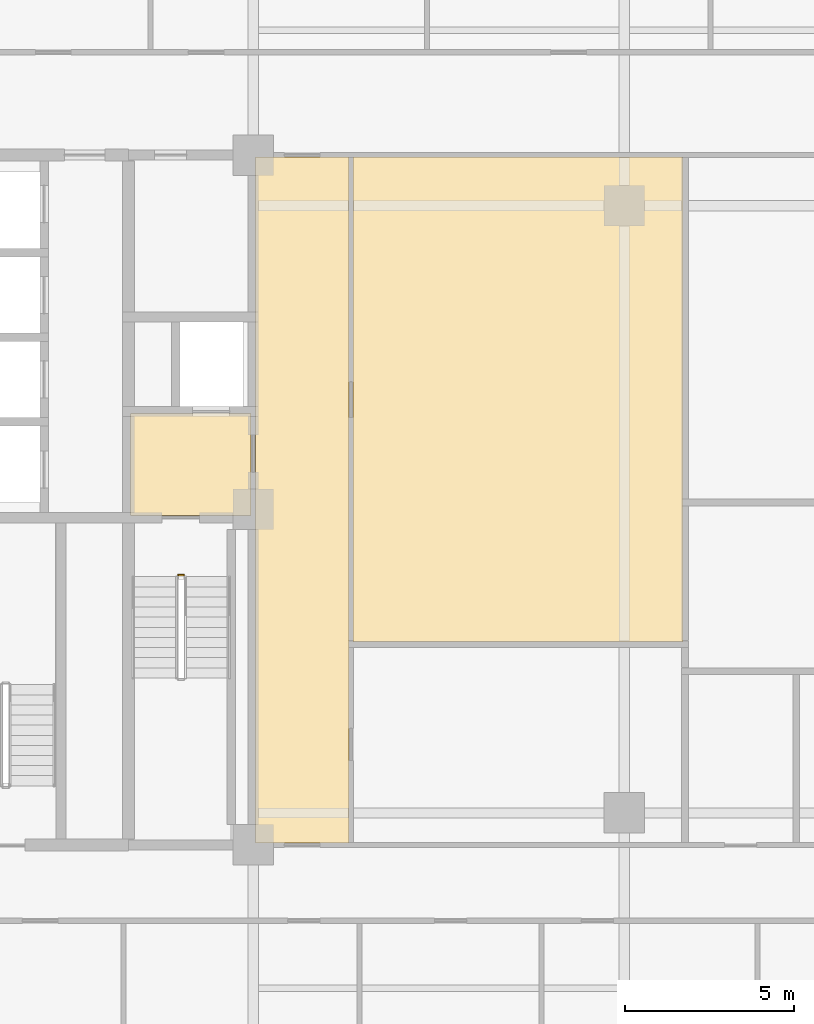
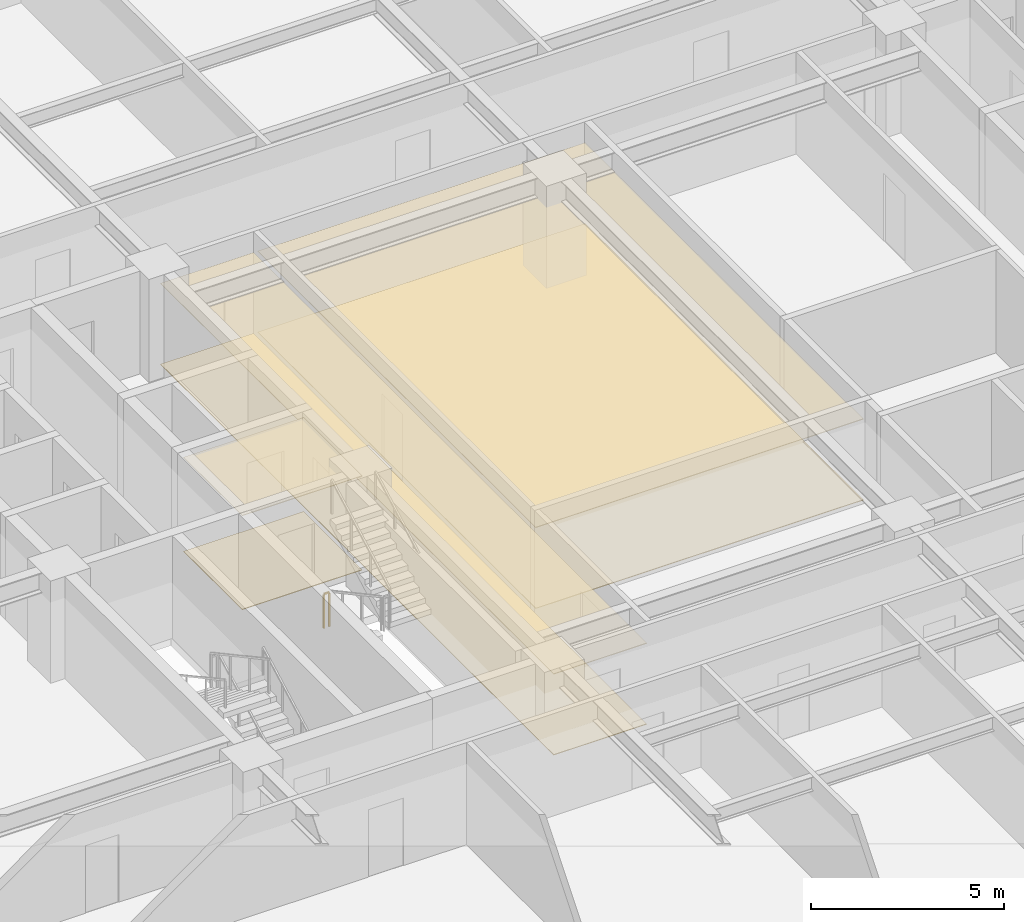
# One storey, part 13 of 16: 6 coverings, 1 railing.
"""IFC4 building model written with IfcOpenShell, lengths in metres."""

from ifc_helpers import new_model, si_unit, direction, frame, origin, origin_2d, place, context, subcontext, project, spatial, polyline, rectangle, outline, extrude, material, layer, layer_set, type_object, element, save


model = new_model("IFC4")

# Units and contexts
model_context = context("Model", 3, precision=1e-05, world=origin(), true_north=direction((0.0, 1.0)))
body_context = subcontext(model_context, "Body", "Model", "MODEL_VIEW")
ifc_project = project(units=[si_unit("LENGTHUNIT", "METRE"), si_unit("AREAUNIT", "SQUARE_METRE"), si_unit("VOLUMEUNIT", "CUBIC_METRE"), si_unit("PLANEANGLEUNIT", "RADIAN"), si_unit("MASSUNIT", "GRAM", prefix="KILO")], contexts=[model_context])

# Site, building, storey
site_placement = place(None, origin())
site = spatial("IfcSite", under=ifc_project, at=site_placement, CompositionType="ELEMENT")
building_placement = place(site_placement, origin())
building = spatial("IfcBuilding", under=site, at=building_placement, Name="Zulmaris Gate Convention Tower", CompositionType="ELEMENT")
storey_placement = place(building_placement, frame((0.0, 0.0, 67.89990234375)))
storey = spatial("IfcBuildingStorey", under=building, at=storey_placement, Name="L16", CompositionType="ELEMENT", Elevation=67.89990234375)

# Coverings
ifc_material_1 = material(Name="Mineral Fibre Acoustic Ceiling Tile")
ifc_layer_1 = layer(ifc_material_1, 0.02001953125, Name="Mineral Fibre Acoustic Ceiling Tile")
ifc_layer_set_1 = layer_set([ifc_layer_1], Name="Mineral Fibre Acoustic Ceiling Tile")
covering_type_1 = type_object("IfcCoveringType", Name="CLG-ACOUSTIC-600", PredefinedType="CEILING", material=ifc_layer_set_1)
covering_1_placement = place(storey_placement, frame((0.0, 0.0, 2.965087890625)))
element("IfcCovering", 1, at=covering_1_placement, inside=storey, type_object=covering_type_1, Name="CLG-L16-R03", PredefinedType="CEILING", context=body_context, shape_type="SweptSolid", body=[
    extrude(outline(polyline([(-14.639892578125, -0.18994140625), (-11.06005859375, -0.18994140625), (-11.06005859375, 2.840087890625), (-14.639892578125, 2.840087890625), (-14.639892578125, -0.18994140625)])), origin(), (0.0, 0.0, 1.0), 0.02001953125),
])
covering_2_placement = place(storey_placement, frame((0.0, 0.0, 2.552978515625)))
element("IfcCovering", 2, at=covering_2_placement, inside=storey, type_object=covering_type_1, Name="CLG-L16-R33", PredefinedType="CEILING", context=body_context, shape_type="SweptSolid", body=[
    extrude(outline(polyline([(-10.93994140625, -9.889892578125), (-8.159912109375, -9.889892578125), (-8.159912109375, 10.43994140625), (-10.93994140625, 10.43994140625), (-10.93994140625, -9.889892578125)])), origin(), (0.0, 0.0, 1.0), 0.02001953125),
])
covering_3_placement = place(storey_placement, frame((0.0, 0.0, 2.552978515625)))
element("IfcCovering", 3, at=covering_3_placement, inside=storey, type_object=covering_type_1, Name="CLG-L16-R46", PredefinedType="CEILING", context=body_context, shape_type="SweptSolid", body=[
    extrude(outline(polyline([(-8.0400390625, -3.93994140625), (1.739990234375, -3.93994140625), (1.739990234375, 10.43994140625), (-8.0400390625, 10.43994140625), (-8.0400390625, -3.93994140625)])), origin(), (0.0, 0.0, 1.0), 0.02001953125),
])
ifc_material_2 = material(Name="Woven Acoustic Wool Carpet Tile")
ifc_layer_2 = layer(ifc_material_2, 0.02001953125, Name="Woven Acoustic Wool Carpet Tile")
ifc_layer_set_2 = layer_set([ifc_layer_2], Name="Woven Acoustic Wool Carpet Tile")
covering_type_2 = type_object("IfcCoveringType", Name="FLR-CARPET-12", PredefinedType="FLOORING", material=ifc_layer_set_2)
covering_4_placement = place(storey_placement, origin())
element("IfcCovering", 4, at=covering_4_placement, inside=storey, type_object=covering_type_2, Name="FLR-L16-R03", PredefinedType="FLOORING", context=body_context, shape_type="SweptSolid", body=[
    extrude(outline(polyline([(-14.639892578125, -0.18994140625), (-11.06005859375, -0.18994140625), (-11.06005859375, 2.840087890625), (-14.639892578125, 2.840087890625), (-14.639892578125, -0.18994140625)])), origin(), (0.0, 0.0, 1.0), 0.02001953125),
])
covering_5_placement = place(storey_placement, origin())
element("IfcCovering", 5, at=covering_5_placement, inside=storey, type_object=covering_type_2, Name="FLR-L16-R33", PredefinedType="FLOORING", context=body_context, shape_type="SweptSolid", body=[
    extrude(outline(polyline([(-10.93994140625, -9.889892578125), (-8.159912109375, -9.889892578125), (-8.159912109375, 10.43994140625), (-10.93994140625, 10.43994140625), (-10.93994140625, -9.889892578125)])), origin(), (0.0, 0.0, 1.0), 0.02001953125),
])
ifc_material_3 = material(Name="Engineered Teak Parquet Flooring")
ifc_layer_3 = layer(ifc_material_3, 0.02001953125, Name="Engineered Teak Parquet Flooring")
ifc_layer_set_3 = layer_set([ifc_layer_3], Name="Engineered Teak Parquet Flooring")
covering_type_3 = type_object("IfcCoveringType", Name="FLR-TIMBER-18", PredefinedType="FLOORING", material=ifc_layer_set_3)
covering_6_placement = place(storey_placement, origin())
element("IfcCovering", 6, at=covering_6_placement, inside=storey, type_object=covering_type_3, Name="FLR-L16-R46", PredefinedType="FLOORING", context=body_context, shape_type="SweptSolid", body=[
    extrude(outline(polyline([(-8.0400390625, -3.93994140625), (1.739990234375, -3.93994140625), (1.739990234375, 10.43994140625), (-8.0400390625, 10.43994140625), (-8.0400390625, -3.93994140625)])), origin(), (0.0, 0.0, 1.0), 0.02001953125),
])

# Railing
ifc_material_4 = material(Name="Painted Galvanised Steel", Category="steel")
railing_type = type_object("IfcRailingType", Name="RL-STG-1150", PredefinedType="GUARDRAIL", material=ifc_material_4)
railing_placement = place(storey_placement, frame((-13.219970703125, -1.949951171875, 0.0)))
element("IfcRailing", 7, at=railing_placement, inside=storey, type_object=railing_type, Name="L16 ST-1 stair guard 4", PredefinedType="GUARDRAIL", context=body_context, shape_type="SweptSolid", body=[
    extrude(rectangle(XDim=0.048095703125, YDim=0.048095703125, at=origin_2d()), frame((0.0, 0.0, 1.076171875), z_axis=(1.0, 0.0, 0.0), x_axis=(0.0, 1.0, 0.0)), (0.0, 0.0, 1.0), 0.159912109375),
    extrude(rectangle(XDim=0.0419921875, YDim=0.0419921875, at=origin_2d()), origin(), (0.0, 0.0, 1.0), 1.052001953125),
    extrude(rectangle(XDim=0.0419921875, YDim=0.0419921875, at=origin_2d()), frame((0.159912109375, 0.0, 0.0)), (0.0, 0.0, 1.0), 1.052001953125),
])

save(model, "model.ifc")
